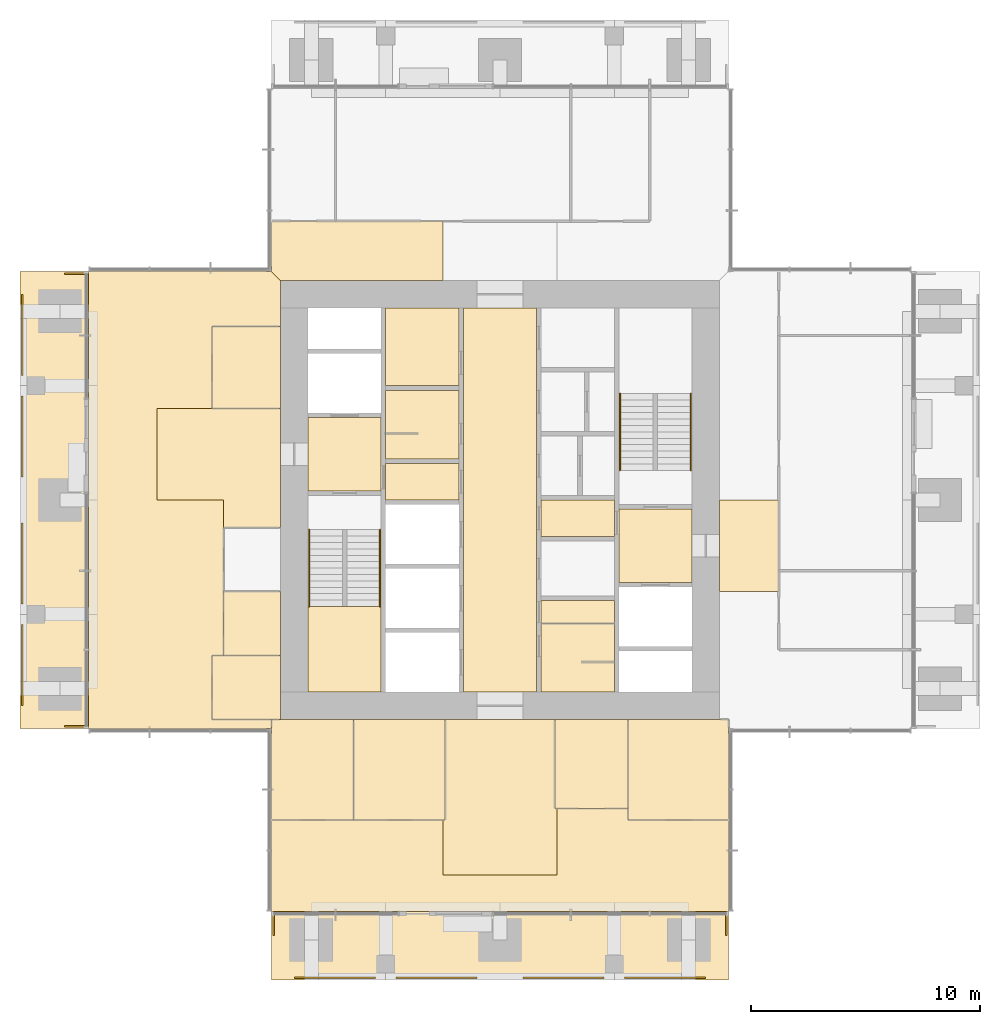
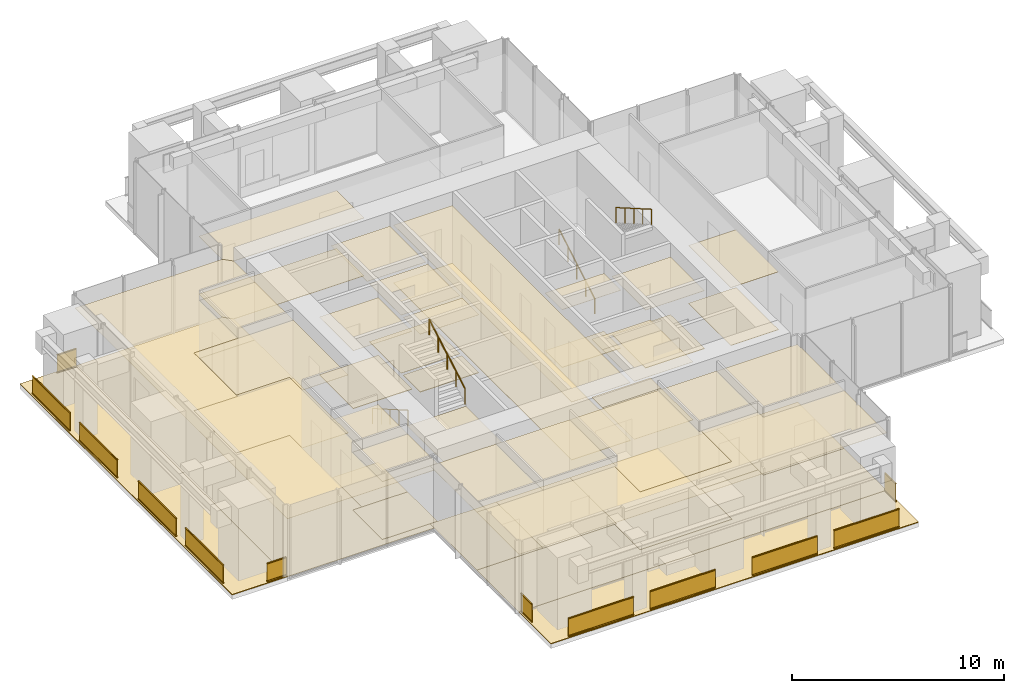
# One storey, part 10 of 12: 46 coverings, 16 railings.
"""IFC4 building model written with IfcOpenShell, lengths in metres."""

from ifc_helpers import new_model, si_unit, direction, frame, origin, origin_2d, place, context, subcontext, project, spatial, polyline, rectangle, circle, outline, extrude, material, layer, layer_set, type_object, element, save


model = new_model("IFC4")

# Units and contexts
model_context = context("Model", 3, precision=1e-05, world=origin(), true_north=direction((0.0, 1.0)))
body_context = subcontext(model_context, "Body", "Model", "MODEL_VIEW")
ifc_project = project(units=[si_unit("LENGTHUNIT", "METRE"), si_unit("AREAUNIT", "SQUARE_METRE"), si_unit("VOLUMEUNIT", "CUBIC_METRE"), si_unit("PLANEANGLEUNIT", "RADIAN"), si_unit("MASSUNIT", "GRAM", prefix="KILO")], contexts=[model_context])

# Site, building, storey
site_placement = place(None, origin())
site = spatial("IfcSite", under=ifc_project, at=site_placement, CompositionType="ELEMENT")
building_placement = place(site_placement, origin())
building = spatial("IfcBuilding", under=site, at=building_placement, Name="Svetlomir Tower", CompositionType="ELEMENT")
storey_placement = place(building_placement, frame((0.0, 0.0, 256.60009765625)))
storey = spatial("IfcBuildingStorey", under=building, at=storey_placement, Name="L61", CompositionType="ELEMENT", Elevation=256.60009765625)

# Railings
ifc_material_1 = material(Name="Bronze anodised aluminium and laminated glass", Category="aluminium")
railing_type_1 = type_object("IfcRailingType", Name="BALCONY GUARD GR1 1100", PredefinedType="GUARDRAIL", material=ifc_material_1)
for number, where, name in (
    (1, (12.0, 0.10009765625, 0.0), "Loggia guard S L61 bay 1"),
    (2, (16.449951171875, 0.10009765625, 0.0), "Loggia guard S L61 bay 2"),
    (3, (22.0, 0.10009765625, 0.0), "Loggia guard S L61 bay 3"),
    (4, (26.449951171875, 0.10009765625, 0.0), "Loggia guard S L61 bay 4"),
):
    element("IfcRailing", number, at=place(storey_placement, frame(where)), inside=storey, type_object=railing_type_1, Name=name, PredefinedType="GUARDRAIL", context=body_context, shape_type="SweptSolid", body=[
        extrude(rectangle(XDim=0.06005859375, YDim=0.10009765625, at=origin_2d()), frame((0.0, 0.0, 0.050048828125), z_axis=(1.0, 0.0, 0.0), x_axis=(0.0, 1.0, 0.0)), (0.0, 0.0, 1.0), 3.550048828125),
        extrude(rectangle(XDim=0.021484375, YDim=0.960205078125, at=origin_2d()), frame((0.0, 0.0, 0.580078125), z_axis=(1.0, 0.0, 0.0), x_axis=(0.0, 1.0, 0.0)), (0.0, 0.0, 1.0), 3.550048828125),
        extrude(rectangle(XDim=0.06005859375, YDim=0.0400390625, at=origin_2d()), frame((0.0, 0.0, 1.080078125), z_axis=(1.0, 0.0, 0.0), x_axis=(0.0, 1.0, 0.0)), (0.0, 0.0, 1.0), 3.550048828125),
    ])
for number, where, name in (
    (5, (11.10009765625, 1.949951171875, 0.0), "Loggia guard S L61 end 1"),
    (6, (30.89990234375, 1.949951171875, 0.0), "Loggia guard S L61 end 2"),
):
    element("IfcRailing", number, at=place(storey_placement, frame(where)), inside=storey, type_object=railing_type_1, Name=name, PredefinedType="GUARDRAIL", context=body_context, shape_type="SweptSolid", body=[
        extrude(rectangle(XDim=0.06005859375, YDim=0.10009765625, at=origin_2d()), frame((0.0, 0.0, 0.050048828125), z_axis=(0.0, 1.0, 0.0), x_axis=(-1.0, 0.0, 0.0)), (0.0, 0.0, 1.0), 1.050048828125),
        extrude(rectangle(XDim=0.021484375, YDim=0.960205078125, at=origin_2d()), frame((0.0, 0.0, 0.580078125), z_axis=(0.0, 1.0, 0.0), x_axis=(-1.0, 0.0, 0.0)), (0.0, 0.0, 1.0), 1.050048828125),
        extrude(rectangle(XDim=0.06005859375, YDim=0.0400390625, at=origin_2d()), frame((0.0, 0.0, 1.080078125), z_axis=(0.0, 1.0, 0.0), x_axis=(-1.0, 0.0, 0.0)), (0.0, 0.0, 1.0), 1.050048828125),
    ])
for number, where, name in (
    (7, (0.10009765625, 12.0, 0.0), "Loggia guard W L61 bay 1"),
    (8, (0.10009765625, 16.449951171875, 0.0), "Loggia guard W L61 bay 2"),
    (9, (0.10009765625, 22.0, 0.0), "Loggia guard W L61 bay 3"),
    (10, (0.10009765625, 26.449951171875, 0.0), "Loggia guard W L61 bay 4"),
):
    element("IfcRailing", number, at=place(storey_placement, frame(where)), inside=storey, type_object=railing_type_1, Name=name, PredefinedType="GUARDRAIL", context=body_context, shape_type="SweptSolid", body=[
        extrude(rectangle(XDim=0.06005859375, YDim=0.10009765625, at=origin_2d()), frame((0.0, 0.0, 0.050048828125), z_axis=(0.0, 1.0, 0.0), x_axis=(-1.0, 0.0, 0.0)), (0.0, 0.0, 1.0), 3.550048828125),
        extrude(rectangle(XDim=0.021484375, YDim=0.960205078125, at=origin_2d()), frame((0.0, 0.0, 0.580078125), z_axis=(0.0, 1.0, 0.0), x_axis=(-1.0, 0.0, 0.0)), (0.0, 0.0, 1.0), 3.550048828125),
        extrude(rectangle(XDim=0.06005859375, YDim=0.0400390625, at=origin_2d()), frame((0.0, 0.0, 1.080078125), z_axis=(0.0, 1.0, 0.0), x_axis=(-1.0, 0.0, 0.0)), (0.0, 0.0, 1.0), 3.550048828125),
    ])
for number, where, name in (
    (11, (1.949951171875, 11.10009765625, 0.0), "Loggia guard W L61 end 1"),
    (12, (1.949951171875, 30.89990234375, 0.0), "Loggia guard W L61 end 2"),
):
    element("IfcRailing", number, at=place(storey_placement, frame(where)), inside=storey, type_object=railing_type_1, Name=name, PredefinedType="GUARDRAIL", context=body_context, shape_type="SweptSolid", body=[
        extrude(rectangle(XDim=0.06005859375, YDim=0.10009765625, at=origin_2d()), frame((0.0, 0.0, 0.050048828125), z_axis=(1.0, 0.0, 0.0), x_axis=(0.0, 1.0, 0.0)), (0.0, 0.0, 1.0), 1.050048828125),
        extrude(rectangle(XDim=0.021484375, YDim=0.960205078125, at=origin_2d()), frame((0.0, 0.0, 0.580078125), z_axis=(1.0, 0.0, 0.0), x_axis=(0.0, 1.0, 0.0)), (0.0, 0.0, 1.0), 1.050048828125),
        extrude(rectangle(XDim=0.06005859375, YDim=0.0400390625, at=origin_2d()), frame((0.0, 0.0, 1.080078125), z_axis=(1.0, 0.0, 0.0), x_axis=(0.0, 1.0, 0.0)), (0.0, 0.0, 1.0), 1.050048828125),
    ])

# Coverings
ifc_material_2 = material(Name="Granite paving slabs on pedestals", Category="masonry")
ifc_layer_1 = layer(ifc_material_2, 0.0400390625)
ifc_layer_set_1 = layer_set([ifc_layer_1], Name="Granite paving slabs on pedestals")
covering_type_1 = type_object("IfcCoveringType", Name="BALCONY PAVING 40", PredefinedType="USERDEFINED", material=ifc_layer_set_1)
covering_1_placement = place(storey_placement, origin())
element("IfcCovering", 13, at=covering_1_placement, inside=storey, type_object=covering_type_1, Name="Loggia paving S L61", ObjectType="BALCONY PAVING", PredefinedType="USERDEFINED", context=body_context, shape_type="SweptSolid", body=[
    extrude(outline(polyline([(11.0, 0.0), (31.0, 0.0), (31.0, 3.0), (11.0, 3.0), (11.0, 0.0)])), origin(), (0.0, 0.0, 1.0), 0.039794921875),
])
covering_2_placement = place(storey_placement, origin())
element("IfcCovering", 14, at=covering_2_placement, inside=storey, type_object=covering_type_1, Name="Loggia paving W L61", ObjectType="BALCONY PAVING", PredefinedType="USERDEFINED", context=body_context, shape_type="SweptSolid", body=[
    extrude(outline(polyline([(0.0, 11.0), (3.0, 11.0), (3.0, 31.0), (0.0, 31.0), (0.0, 11.0)])), origin(), (0.0, 0.0, 1.0), 0.039794921875),
])
ifc_material_3 = material(Name="Ceramic floor tile", Category="ceramic")
ifc_layer_2 = layer(ifc_material_3, 0.014892578125)
ifc_layer_set_2 = layer_set([ifc_layer_2], Name="Ceramic floor tile")
covering_type_2 = type_object("IfcCoveringType", Name="CERAMIC TILE FLOOR 15", PredefinedType="FLOORING", material=ifc_layer_set_2)
covering_3_placement = place(storey_placement, origin())
element("IfcCovering", 15, at=covering_3_placement, inside=storey, type_object=covering_type_2, Name="Floor finish L61-04", PredefinedType="FLOORING", context=body_context, shape_type="SweptSolid", body=[
    extrude(outline(polyline([(16.0, 22.800048828125), (19.199951171875, 22.800048828125), (19.199951171875, 25.800048828125), (16.0, 25.800048828125), (16.0, 22.800048828125)])), origin(), (0.0, 0.0, 1.0), 0.014892578125),
])
covering_4_placement = place(storey_placement, origin())
element("IfcCovering", 16, at=covering_4_placement, inside=storey, type_object=covering_type_2, Name="Floor finish L61-07", PredefinedType="FLOORING", context=body_context, shape_type="SweptSolid", body=[
    extrude(outline(polyline([(22.800048828125, 15.60009765625), (26.0, 15.60009765625), (26.0, 16.60009765625), (22.800048828125, 16.60009765625), (22.800048828125, 15.60009765625)])), origin(), (0.0, 0.0, 1.0), 0.014892578125),
])
covering_5_placement = place(storey_placement, origin())
element("IfcCovering", 17, at=covering_5_placement, inside=storey, type_object=covering_type_2, Name="Floor finish L61-08", PredefinedType="FLOORING", context=body_context, shape_type="SweptSolid", body=[
    extrude(outline(polyline([(22.800048828125, 12.60009765625), (26.0, 12.60009765625), (26.0, 15.60009765625), (22.800048828125, 15.60009765625), (22.800048828125, 12.60009765625)])), origin(), (0.0, 0.0, 1.0), 0.014892578125),
])

# Railings
ifc_material_4 = material(Name="Stainless steel", Category="steel")
railing_type_2 = type_object("IfcRailingType", Name="HANDRAIL HR1 900", PredefinedType="HANDRAIL", material=ifc_material_4)
railing_1_placement = place(storey_placement, frame((12.64990234375, 19.699951171875, 0.161376953125)))
element("IfcRailing", 18, at=railing_1_placement, inside=storey, type_object=railing_type_2, Name="Handrail S1 flight 1 L61", PredefinedType="HANDRAIL", context=body_context, shape_type="SweptSolid", body=[
    extrude(circle(Radius=0.02392578125, at=origin_2d()), frame((0.0, 0.0, 0.8759765625), z_axis=(0.0, -0.866175107563, 0.499740615757), x_axis=(1.0, 0.0, 0.0)), (0.0, 0.0, 1.0), 3.87890625),
    extrude(circle(Radius=0.02099609375, at=origin_2d()), origin(), (0.0, 0.0, 1.0), 0.851806640625),
    extrude(circle(Radius=0.02099609375, at=origin_2d()), frame((0.0, -0.83984375, 0.484619140625)), (0.0, 0.0, 1.0), 0.851806640625),
    extrude(circle(Radius=0.02099609375, at=origin_2d()), frame((0.0, -1.679931640625, 0.96923828125)), (0.0, 0.0, 1.0), 0.851806640625),
    extrude(circle(Radius=0.02099609375, at=origin_2d()), frame((0.0, -2.52001953125, 1.453857421875)), (0.0, 0.0, 1.0), 0.851806640625),
    extrude(circle(Radius=0.02099609375, at=origin_2d()), frame((0.0, -3.35986328125, 1.9384765625)), (0.0, 0.0, 1.0), 0.851806640625),
])
for number, where, name in (
    (19, (15.75, 16.340087890625, 2.261474609375), "Handrail S1 flight 2 L61"),
    (20, (26.25, 22.300048828125, 0.161376953125), "Handrail S2 flight 1 L61"),
):
    element("IfcRailing", number, at=place(storey_placement, frame(where)), inside=storey, type_object=railing_type_2, Name=name, PredefinedType="HANDRAIL", context=body_context, shape_type="SweptSolid", body=[
        extrude(circle(Radius=0.02392578125, at=origin_2d()), frame((0.0, 0.0, 0.8759765625), z_axis=(0.0, 0.866175107563, 0.499740615757), x_axis=(-1.0, 0.0, 0.0)), (0.0, 0.0, 1.0), 3.87890625),
        extrude(circle(Radius=0.02099609375, at=origin_2d()), origin(), (0.0, 0.0, 1.0), 0.851806640625),
        extrude(circle(Radius=0.02099609375, at=origin_2d()), frame((0.0, 0.83984375, 0.484619140625)), (0.0, 0.0, 1.0), 0.851806640625),
        extrude(circle(Radius=0.02099609375, at=origin_2d()), frame((0.0, 1.679931640625, 0.96923828125)), (0.0, 0.0, 1.0), 0.851806640625),
        extrude(circle(Radius=0.02099609375, at=origin_2d()), frame((0.0, 2.52001953125, 1.453857421875)), (0.0, 0.0, 1.0), 0.851806640625),
        extrude(circle(Radius=0.02099609375, at=origin_2d()), frame((0.0, 3.35986328125, 1.9384765625)), (0.0, 0.0, 1.0), 0.851806640625),
    ])
railing_2_placement = place(storey_placement, frame((29.35009765625, 25.659912109375, 2.261474609375)))
element("IfcRailing", 21, at=railing_2_placement, inside=storey, type_object=railing_type_2, Name="Handrail S2 flight 2 L61", PredefinedType="HANDRAIL", context=body_context, shape_type="SweptSolid", body=[
    extrude(circle(Radius=0.02392578125, at=origin_2d()), frame((0.0, 0.0, 0.8759765625), z_axis=(0.0, -0.866175107563, 0.499740615757), x_axis=(1.0, 0.0, 0.0)), (0.0, 0.0, 1.0), 3.87890625),
    extrude(circle(Radius=0.02099609375, at=origin_2d()), origin(), (0.0, 0.0, 1.0), 0.851806640625),
    extrude(circle(Radius=0.02099609375, at=origin_2d()), frame((0.0, -0.83984375, 0.484619140625)), (0.0, 0.0, 1.0), 0.851806640625),
    extrude(circle(Radius=0.02099609375, at=origin_2d()), frame((0.0, -1.679931640625, 0.96923828125)), (0.0, 0.0, 1.0), 0.851806640625),
    extrude(circle(Radius=0.02099609375, at=origin_2d()), frame((0.0, -2.52001953125, 1.453857421875)), (0.0, 0.0, 1.0), 0.851806640625),
    extrude(circle(Radius=0.02099609375, at=origin_2d()), frame((0.0, -3.35986328125, 1.9384765625)), (0.0, 0.0, 1.0), 0.851806640625),
])

# Coverings
ifc_material_5 = material(Name="Moisture resistant plasterboard ceiling", Category="gypsum")
ifc_layer_3 = layer(ifc_material_5, 0.012451171875)
ifc_layer_set_3 = layer_set([ifc_layer_3], Name="Moisture resistant plasterboard ceiling")
covering_type_3 = type_object("IfcCoveringType", Name="MOISTURE RESISTANT CEILING 12.5", PredefinedType="CEILING", material=ifc_layer_set_3)
covering_6_placement = place(storey_placement, frame((0.0, 0.0, 3.33740234375)))
element("IfcCovering", 22, at=covering_6_placement, inside=storey, type_object=covering_type_3, Name="Ceiling L61-04", PredefinedType="CEILING", context=body_context, shape_type="SweptSolid", body=[
    extrude(outline(polyline([(16.0, 22.800048828125), (19.199951171875, 22.800048828125), (19.199951171875, 25.800048828125), (16.0, 25.800048828125), (16.0, 22.800048828125)])), origin(), (0.0, 0.0, 1.0), 0.012451171875),
])
covering_7_placement = place(storey_placement, frame((0.0, 0.0, 3.33740234375)))
element("IfcCovering", 23, at=covering_7_placement, inside=storey, type_object=covering_type_3, Name="Ceiling L61-05", PredefinedType="CEILING", context=body_context, shape_type="SweptSolid", body=[
    extrude(outline(polyline([(16.0, 26.0), (19.199951171875, 26.0), (19.199951171875, 29.39990234375), (16.0, 29.39990234375), (16.0, 26.0)])), origin(), (0.0, 0.0, 1.0), 0.012451171875),
])
covering_8_placement = place(storey_placement, frame((0.0, 0.0, 3.33740234375)))
element("IfcCovering", 24, at=covering_8_placement, inside=storey, type_object=covering_type_3, Name="Ceiling L61-07", PredefinedType="CEILING", context=body_context, shape_type="SweptSolid", body=[
    extrude(outline(polyline([(22.800048828125, 15.60009765625), (26.0, 15.60009765625), (26.0, 16.60009765625), (22.800048828125, 16.60009765625), (22.800048828125, 15.60009765625)])), origin(), (0.0, 0.0, 1.0), 0.012451171875),
])
covering_9_placement = place(storey_placement, frame((0.0, 0.0, 3.33740234375)))
element("IfcCovering", 25, at=covering_9_placement, inside=storey, type_object=covering_type_3, Name="Ceiling L61-08", PredefinedType="CEILING", context=body_context, shape_type="SweptSolid", body=[
    extrude(outline(polyline([(22.800048828125, 12.60009765625), (26.0, 12.60009765625), (26.0, 15.60009765625), (22.800048828125, 15.60009765625), (22.800048828125, 12.60009765625)])), origin(), (0.0, 0.0, 1.0), 0.012451171875),
])
ifc_material_6 = material(Name="Engineered oak floor", Category="wood")
ifc_layer_4 = layer(ifc_material_6, 0.02001953125)
ifc_layer_set_4 = layer_set([ifc_layer_4], Name="Engineered oak floor")
covering_type_4 = type_object("IfcCoveringType", Name="OAK FLOOR 20", PredefinedType="FLOORING", material=ifc_layer_set_4)
covering_10_placement = place(storey_placement, origin())
element("IfcCovering", 26, at=covering_10_placement, inside=storey, type_object=covering_type_4, Name="Floor finish L61-18", PredefinedType="FLOORING", context=body_context, shape_type="SweptSolid", body=[
    extrude(outline(polyline([(11.0, 7.0), (14.60009765625, 7.0), (14.60009765625, 11.39990234375), (11.0, 11.39990234375), (11.0, 7.0)])), origin(), (0.0, 0.0, 1.0), 0.02001953125),
])
covering_11_placement = place(storey_placement, origin())
element("IfcCovering", 27, at=covering_11_placement, inside=storey, type_object=covering_type_4, Name="Floor finish L61-19", PredefinedType="FLOORING", context=body_context, shape_type="SweptSolid", body=[
    extrude(outline(polyline([(14.60009765625, 7.0), (18.60009765625, 7.0), (18.60009765625, 11.39990234375), (14.60009765625, 11.39990234375), (14.60009765625, 7.0)])), origin(), (0.0, 0.0, 1.0), 0.02001953125),
])
covering_12_placement = place(storey_placement, origin())
element("IfcCovering", 28, at=covering_12_placement, inside=storey, type_object=covering_type_4, Name="Floor finish L61-20", PredefinedType="FLOORING", context=body_context, shape_type="SweptSolid", body=[
    extrude(outline(polyline([(23.39990234375, 7.5), (26.60009765625, 7.5), (26.60009765625, 11.39990234375), (23.39990234375, 11.39990234375), (23.39990234375, 7.5)])), origin(), (0.0, 0.0, 1.0), 0.02001953125),
])
covering_13_placement = place(storey_placement, origin())
element("IfcCovering", 29, at=covering_13_placement, inside=storey, type_object=covering_type_4, Name="Floor finish L61-21", PredefinedType="FLOORING", context=body_context, shape_type="SweptSolid", body=[
    extrude(outline(polyline([(26.60009765625, 7.0), (31.0, 7.0), (31.0, 11.39990234375), (26.60009765625, 11.39990234375), (26.60009765625, 7.0)])), origin(), (0.0, 0.0, 1.0), 0.02001953125),
])
covering_14_placement = place(storey_placement, origin())
element("IfcCovering", 30, at=covering_14_placement, inside=storey, type_object=covering_type_4, Name="Floor finish L61-28", PredefinedType="FLOORING", context=body_context, shape_type="SweptSolid", body=[
    extrude(outline(polyline([(8.39990234375, 11.39990234375), (11.39990234375, 11.39990234375), (11.39990234375, 14.199951171875), (8.39990234375, 14.199951171875), (8.39990234375, 11.39990234375)])), origin(), (0.0, 0.0, 1.0), 0.02001953125),
])
covering_15_placement = place(storey_placement, origin())
element("IfcCovering", 31, at=covering_15_placement, inside=storey, type_object=covering_type_4, Name="Floor finish L61-29", PredefinedType="FLOORING", context=body_context, shape_type="SweptSolid", body=[
    extrude(outline(polyline([(8.89990234375, 14.199951171875), (11.39990234375, 14.199951171875), (11.39990234375, 17.0), (8.89990234375, 17.0), (8.89990234375, 14.199951171875)])), origin(), (0.0, 0.0, 1.0), 0.02001953125),
])
covering_16_placement = place(storey_placement, origin())
element("IfcCovering", 32, at=covering_16_placement, inside=storey, type_object=covering_type_4, Name="Floor finish L61-31", PredefinedType="FLOORING", context=body_context, shape_type="SweptSolid", body=[
    extrude(outline(polyline([(8.39990234375, 25.0), (11.39990234375, 25.0), (11.39990234375, 28.60009765625), (8.39990234375, 28.60009765625), (8.39990234375, 25.0)])), origin(), (0.0, 0.0, 1.0), 0.02001953125),
])
covering_17_placement = place(storey_placement, origin())
element("IfcCovering", 33, at=covering_17_placement, inside=storey, type_object=covering_type_4, Name="Floor finish L61-32", PredefinedType="FLOORING", context=body_context, shape_type="SweptSolid", body=[
    extrude(outline(polyline([(23.39990234375, 7.5), (23.5, 7.5), (23.5, 4.60009765625), (18.5, 4.60009765625), (18.5, 7.0), (18.60009765625, 7.0), (18.60009765625, 11.39990234375), (23.39990234375, 11.39990234375), (23.39990234375, 7.5)])), origin(), (0.0, 0.0, 1.0), 0.02001953125),
])
covering_18_placement = place(storey_placement, origin())
element("IfcCovering", 34, at=covering_18_placement, inside=storey, type_object=covering_type_4, Name="Floor finish L61-33", PredefinedType="FLOORING", context=body_context, shape_type="SweptSolid", body=[
    extrude(outline(polyline([(30.60009765625, 17.0), (30.60009765625, 21.0), (33.199951171875, 21.0), (33.199951171875, 17.0), (30.60009765625, 17.0)])), origin(), (0.0, 0.0, 1.0), 0.02001953125),
])
covering_19_placement = place(storey_placement, origin())
element("IfcCovering", 35, at=covering_19_placement, inside=storey, type_object=covering_type_4, Name="Floor finish L61-34", PredefinedType="FLOORING", context=body_context, shape_type="SweptSolid", body=[
    extrude(outline(polyline([(6.0, 21.0), (6.0, 25.0), (11.39990234375, 25.0), (11.39990234375, 19.800048828125), (8.89990234375, 19.800048828125), (8.89990234375, 21.0), (6.0, 21.0)])), origin(), (0.0, 0.0, 1.0), 0.02001953125),
])
covering_20_placement = place(storey_placement, origin())
element("IfcCovering", 36, at=covering_20_placement, inside=storey, type_object=covering_type_4, Name="Floor finish L61-36", PredefinedType="FLOORING", context=body_context, shape_type="SweptSolid", body=[
    extrude(outline(polyline([(11.0, 7.0), (18.5, 7.0), (18.5, 4.60009765625), (23.5, 4.60009765625), (23.5, 7.5), (26.60009765625, 7.5), (26.60009765625, 7.0), (31.0, 7.0), (31.0, 3.0), (11.0, 3.0), (11.0, 7.0)])), origin(), (0.0, 0.0, 1.0), 0.02001953125),
])
covering_21_placement = place(storey_placement, origin())
element("IfcCovering", 37, at=covering_21_placement, inside=storey, type_object=covering_type_4, Name="Floor finish L61-40", PredefinedType="FLOORING", context=body_context, shape_type="SweptSolid", body=[
    extrude(outline(polyline([(11.0, 33.199951171875), (18.5, 33.199951171875), (18.5, 30.60009765625), (11.39990234375, 30.60009765625), (11.0, 31.0), (11.0, 33.199951171875)])), origin(), (0.0, 0.0, 1.0), 0.02001953125),
])
covering_22_placement = place(storey_placement, origin())
element("IfcCovering", 38, at=covering_22_placement, inside=storey, type_object=covering_type_4, Name="Floor finish L61-41", PredefinedType="FLOORING", context=body_context, shape_type="SweptSolid", body=[
    extrude(outline(polyline([(11.39990234375, 28.60009765625), (8.39990234375, 28.60009765625), (8.39990234375, 25.0), (6.0, 25.0), (6.0, 21.0), (8.89990234375, 21.0), (8.89990234375, 14.199951171875), (8.39990234375, 14.199951171875), (8.39990234375, 11.39990234375), (11.0, 11.39990234375), (11.0, 11.0), (3.0, 11.0), (3.0, 31.0), (11.0, 31.0), (11.39990234375, 30.60009765625), (11.39990234375, 28.60009765625)])), origin(), (0.0, 0.0, 1.0), 0.02001953125),
])
ifc_material_7 = material(Name="Gypsum plasterboard ceiling", Category="gypsum")
ifc_layer_5 = layer(ifc_material_7, 0.014892578125)
ifc_layer_set_5 = layer_set([ifc_layer_5], Name="Gypsum plasterboard ceiling")
covering_type_5 = type_object("IfcCoveringType", Name="PLASTERBOARD CEILING 15", PredefinedType="CEILING", material=ifc_layer_set_5)
covering_23_placement = place(storey_placement, frame((0.0, 0.0, 3.3349609375)))
element("IfcCovering", 39, at=covering_23_placement, inside=storey, type_object=covering_type_5, Name="Ceiling L61-02", PredefinedType="CEILING", context=body_context, shape_type="SweptSolid", body=[
    extrude(outline(polyline([(12.60009765625, 21.39990234375), (15.800048828125, 21.39990234375), (15.800048828125, 24.60009765625), (12.60009765625, 24.60009765625), (12.60009765625, 21.39990234375)])), origin(), (0.0, 0.0, 1.0), 0.014892578125),
])
covering_24_placement = place(storey_placement, frame((0.0, 0.0, 3.3349609375)))
element("IfcCovering", 40, at=covering_24_placement, inside=storey, type_object=covering_type_5, Name="Ceiling L61-03", PredefinedType="CEILING", context=body_context, shape_type="SweptSolid", body=[
    extrude(outline(polyline([(16.0, 21.0), (19.199951171875, 21.0), (19.199951171875, 22.60009765625), (16.0, 22.60009765625), (16.0, 21.0)])), origin(), (0.0, 0.0, 1.0), 0.014892578125),
])
covering_25_placement = place(storey_placement, frame((0.0, 0.0, 3.3349609375)))
element("IfcCovering", 41, at=covering_25_placement, inside=storey, type_object=covering_type_5, Name="Ceiling L61-06", PredefinedType="CEILING", context=body_context, shape_type="SweptSolid", body=[
    extrude(outline(polyline([(19.39990234375, 12.60009765625), (22.60009765625, 12.60009765625), (22.60009765625, 29.39990234375), (19.39990234375, 29.39990234375), (19.39990234375, 12.60009765625)])), origin(), (0.0, 0.0, 1.0), 0.014892578125),
])
covering_26_placement = place(storey_placement, frame((0.0, 0.0, 3.3349609375)))
element("IfcCovering", 42, at=covering_26_placement, inside=storey, type_object=covering_type_5, Name="Ceiling L61-10", PredefinedType="CEILING", context=body_context, shape_type="SweptSolid", body=[
    extrude(outline(polyline([(22.800048828125, 19.39990234375), (26.0, 19.39990234375), (26.0, 21.0), (22.800048828125, 21.0), (22.800048828125, 19.39990234375)])), origin(), (0.0, 0.0, 1.0), 0.014892578125),
])
covering_27_placement = place(storey_placement, frame((0.0, 0.0, 3.3349609375)))
element("IfcCovering", 43, at=covering_27_placement, inside=storey, type_object=covering_type_5, Name="Ceiling L61-11", PredefinedType="CEILING", context=body_context, shape_type="SweptSolid", body=[
    extrude(outline(polyline([(26.199951171875, 17.39990234375), (29.39990234375, 17.39990234375), (29.39990234375, 20.60009765625), (26.199951171875, 20.60009765625), (26.199951171875, 17.39990234375)])), origin(), (0.0, 0.0, 1.0), 0.014892578125),
])
ifc_material_8 = material(Name="Studded rubber floor finish", Category="rubber")
ifc_layer_6 = layer(ifc_material_8, 0.006103515625)
ifc_layer_set_6 = layer_set([ifc_layer_6], Name="Studded rubber floor finish")
covering_type_6 = type_object("IfcCoveringType", Name="RUBBER LANDING FINISH 6", PredefinedType="FLOORING", material=ifc_layer_set_6)
covering_28_placement = place(storey_placement, frame((0.0, 0.0, 2.099853515625)))
element("IfcCovering", 44, at=covering_28_placement, inside=storey, type_object=covering_type_6, Name="Stair S1 landing finish L61", PredefinedType="FLOORING", context=body_context, shape_type="SweptSolid", body=[
    extrude(outline(polyline([(12.60009765625, 12.60009765625), (15.800048828125, 12.60009765625), (15.800048828125, 16.340087890625), (12.60009765625, 16.340087890625), (12.60009765625, 12.60009765625)])), origin(), (0.0, 0.0, 1.0), 0.006103515625),
])
ifc_material_9 = material(Name="Mineral fibre ceiling tile", Category="mineral")
ifc_layer_7 = layer(ifc_material_9, 0.02001953125)
ifc_layer_set_7 = layer_set([ifc_layer_7], Name="Mineral fibre ceiling tile")
covering_type_7 = type_object("IfcCoveringType", Name="SUSPENDED CEILING 20", PredefinedType="CEILING", material=ifc_layer_set_7)
covering_29_placement = place(storey_placement, frame((0.0, 0.0, 3.329833984375)))
element("IfcCovering", 45, at=covering_29_placement, inside=storey, type_object=covering_type_7, Name="Ceiling L61-18", PredefinedType="CEILING", context=body_context, shape_type="SweptSolid", body=[
    extrude(outline(polyline([(11.0, 7.0), (14.60009765625, 7.0), (14.60009765625, 11.39990234375), (11.0, 11.39990234375), (11.0, 7.0)])), origin(), (0.0, 0.0, 1.0), 0.02001953125),
])
covering_30_placement = place(storey_placement, frame((0.0, 0.0, 3.329833984375)))
element("IfcCovering", 46, at=covering_30_placement, inside=storey, type_object=covering_type_7, Name="Ceiling L61-19", PredefinedType="CEILING", context=body_context, shape_type="SweptSolid", body=[
    extrude(outline(polyline([(14.60009765625, 7.0), (18.60009765625, 7.0), (18.60009765625, 11.39990234375), (14.60009765625, 11.39990234375), (14.60009765625, 7.0)])), origin(), (0.0, 0.0, 1.0), 0.02001953125),
])
covering_31_placement = place(storey_placement, frame((0.0, 0.0, 3.329833984375)))
element("IfcCovering", 47, at=covering_31_placement, inside=storey, type_object=covering_type_7, Name="Ceiling L61-20", PredefinedType="CEILING", context=body_context, shape_type="SweptSolid", body=[
    extrude(outline(polyline([(23.39990234375, 7.5), (26.60009765625, 7.5), (26.60009765625, 11.39990234375), (23.39990234375, 11.39990234375), (23.39990234375, 7.5)])), origin(), (0.0, 0.0, 1.0), 0.02001953125),
])
covering_32_placement = place(storey_placement, frame((0.0, 0.0, 3.329833984375)))
element("IfcCovering", 48, at=covering_32_placement, inside=storey, type_object=covering_type_7, Name="Ceiling L61-21", PredefinedType="CEILING", context=body_context, shape_type="SweptSolid", body=[
    extrude(outline(polyline([(26.60009765625, 7.0), (31.0, 7.0), (31.0, 11.39990234375), (26.60009765625, 11.39990234375), (26.60009765625, 7.0)])), origin(), (0.0, 0.0, 1.0), 0.02001953125),
])
covering_33_placement = place(storey_placement, frame((0.0, 0.0, 3.329833984375)))
element("IfcCovering", 49, at=covering_33_placement, inside=storey, type_object=covering_type_7, Name="Ceiling L61-28", PredefinedType="CEILING", context=body_context, shape_type="SweptSolid", body=[
    extrude(outline(polyline([(8.39990234375, 11.39990234375), (11.39990234375, 11.39990234375), (11.39990234375, 14.199951171875), (8.39990234375, 14.199951171875), (8.39990234375, 11.39990234375)])), origin(), (0.0, 0.0, 1.0), 0.02001953125),
])
covering_34_placement = place(storey_placement, frame((0.0, 0.0, 3.329833984375)))
element("IfcCovering", 50, at=covering_34_placement, inside=storey, type_object=covering_type_7, Name="Ceiling L61-29", PredefinedType="CEILING", context=body_context, shape_type="SweptSolid", body=[
    extrude(outline(polyline([(8.89990234375, 14.199951171875), (11.39990234375, 14.199951171875), (11.39990234375, 17.0), (8.89990234375, 17.0), (8.89990234375, 14.199951171875)])), origin(), (0.0, 0.0, 1.0), 0.02001953125),
])
covering_35_placement = place(storey_placement, frame((0.0, 0.0, 3.329833984375)))
element("IfcCovering", 51, at=covering_35_placement, inside=storey, type_object=covering_type_7, Name="Ceiling L61-31", PredefinedType="CEILING", context=body_context, shape_type="SweptSolid", body=[
    extrude(outline(polyline([(8.39990234375, 25.0), (11.39990234375, 25.0), (11.39990234375, 28.60009765625), (8.39990234375, 28.60009765625), (8.39990234375, 25.0)])), origin(), (0.0, 0.0, 1.0), 0.02001953125),
])
covering_36_placement = place(storey_placement, frame((0.0, 0.0, 3.329833984375)))
element("IfcCovering", 52, at=covering_36_placement, inside=storey, type_object=covering_type_7, Name="Ceiling L61-32", PredefinedType="CEILING", context=body_context, shape_type="SweptSolid", body=[
    extrude(outline(polyline([(23.39990234375, 7.5), (23.5, 7.5), (23.5, 4.60009765625), (18.5, 4.60009765625), (18.5, 7.0), (18.60009765625, 7.0), (18.60009765625, 11.39990234375), (23.39990234375, 11.39990234375), (23.39990234375, 7.5)])), origin(), (0.0, 0.0, 1.0), 0.02001953125),
])
covering_37_placement = place(storey_placement, frame((0.0, 0.0, 3.329833984375)))
element("IfcCovering", 53, at=covering_37_placement, inside=storey, type_object=covering_type_7, Name="Ceiling L61-33", PredefinedType="CEILING", context=body_context, shape_type="SweptSolid", body=[
    extrude(outline(polyline([(30.60009765625, 17.0), (30.60009765625, 21.0), (33.199951171875, 21.0), (33.199951171875, 17.0), (30.60009765625, 17.0)])), origin(), (0.0, 0.0, 1.0), 0.02001953125),
])
covering_38_placement = place(storey_placement, frame((0.0, 0.0, 3.329833984375)))
element("IfcCovering", 54, at=covering_38_placement, inside=storey, type_object=covering_type_7, Name="Ceiling L61-34", PredefinedType="CEILING", context=body_context, shape_type="SweptSolid", body=[
    extrude(outline(polyline([(6.0, 21.0), (6.0, 25.0), (11.39990234375, 25.0), (11.39990234375, 19.800048828125), (8.89990234375, 19.800048828125), (8.89990234375, 21.0), (6.0, 21.0)])), origin(), (0.0, 0.0, 1.0), 0.02001953125),
])
covering_39_placement = place(storey_placement, frame((0.0, 0.0, 3.329833984375)))
element("IfcCovering", 55, at=covering_39_placement, inside=storey, type_object=covering_type_7, Name="Ceiling L61-36", PredefinedType="CEILING", context=body_context, shape_type="SweptSolid", body=[
    extrude(outline(polyline([(11.0, 7.0), (18.5, 7.0), (18.5, 4.60009765625), (23.5, 4.60009765625), (23.5, 7.5), (26.60009765625, 7.5), (26.60009765625, 7.0), (31.0, 7.0), (31.0, 3.0), (11.0, 3.0), (11.0, 7.0)])), origin(), (0.0, 0.0, 1.0), 0.02001953125),
])
covering_40_placement = place(storey_placement, frame((0.0, 0.0, 3.329833984375)))
element("IfcCovering", 56, at=covering_40_placement, inside=storey, type_object=covering_type_7, Name="Ceiling L61-40", PredefinedType="CEILING", context=body_context, shape_type="SweptSolid", body=[
    extrude(outline(polyline([(11.0, 33.199951171875), (18.5, 33.199951171875), (18.5, 30.60009765625), (11.39990234375, 30.60009765625), (11.0, 31.0), (11.0, 33.199951171875)])), origin(), (0.0, 0.0, 1.0), 0.02001953125),
])
covering_41_placement = place(storey_placement, frame((0.0, 0.0, 3.329833984375)))
element("IfcCovering", 57, at=covering_41_placement, inside=storey, type_object=covering_type_7, Name="Ceiling L61-41", PredefinedType="CEILING", context=body_context, shape_type="SweptSolid", body=[
    extrude(outline(polyline([(11.39990234375, 28.60009765625), (8.39990234375, 28.60009765625), (8.39990234375, 25.0), (6.0, 25.0), (6.0, 21.0), (8.89990234375, 21.0), (8.89990234375, 14.199951171875), (8.39990234375, 14.199951171875), (8.39990234375, 11.39990234375), (11.0, 11.39990234375), (11.0, 11.0), (3.0, 11.0), (3.0, 31.0), (11.0, 31.0), (11.39990234375, 30.60009765625), (11.39990234375, 28.60009765625)])), origin(), (0.0, 0.0, 1.0), 0.02001953125),
])
ifc_material_10 = material(Name="Bronze-aggregate terrazzo", Category="stone")
ifc_layer_8 = layer(ifc_material_10, 0.030029296875)
ifc_layer_set_8 = layer_set([ifc_layer_8], Name="Bronze-aggregate terrazzo")
covering_type_8 = type_object("IfcCoveringType", Name="TERRAZZO FLOOR 30", PredefinedType="FLOORING", material=ifc_layer_set_8)
covering_42_placement = place(storey_placement, origin())
element("IfcCovering", 58, at=covering_42_placement, inside=storey, type_object=covering_type_8, Name="Floor finish L61-02", PredefinedType="FLOORING", context=body_context, shape_type="SweptSolid", body=[
    extrude(outline(polyline([(12.60009765625, 21.39990234375), (15.800048828125, 21.39990234375), (15.800048828125, 24.60009765625), (12.60009765625, 24.60009765625), (12.60009765625, 21.39990234375)])), origin(), (0.0, 0.0, 1.0), 0.02978515625),
])
covering_43_placement = place(storey_placement, origin())
element("IfcCovering", 59, at=covering_43_placement, inside=storey, type_object=covering_type_8, Name="Floor finish L61-03", PredefinedType="FLOORING", context=body_context, shape_type="SweptSolid", body=[
    extrude(outline(polyline([(16.0, 21.0), (19.199951171875, 21.0), (19.199951171875, 22.60009765625), (16.0, 22.60009765625), (16.0, 21.0)])), origin(), (0.0, 0.0, 1.0), 0.02978515625),
])
covering_44_placement = place(storey_placement, origin())
element("IfcCovering", 60, at=covering_44_placement, inside=storey, type_object=covering_type_8, Name="Floor finish L61-06", PredefinedType="FLOORING", context=body_context, shape_type="SweptSolid", body=[
    extrude(outline(polyline([(19.39990234375, 12.60009765625), (22.60009765625, 12.60009765625), (22.60009765625, 29.39990234375), (19.39990234375, 29.39990234375), (19.39990234375, 12.60009765625)])), origin(), (0.0, 0.0, 1.0), 0.02978515625),
])
covering_45_placement = place(storey_placement, origin())
element("IfcCovering", 61, at=covering_45_placement, inside=storey, type_object=covering_type_8, Name="Floor finish L61-10", PredefinedType="FLOORING", context=body_context, shape_type="SweptSolid", body=[
    extrude(outline(polyline([(22.800048828125, 19.39990234375), (26.0, 19.39990234375), (26.0, 21.0), (22.800048828125, 21.0), (22.800048828125, 19.39990234375)])), origin(), (0.0, 0.0, 1.0), 0.02978515625),
])
covering_46_placement = place(storey_placement, origin())
element("IfcCovering", 62, at=covering_46_placement, inside=storey, type_object=covering_type_8, Name="Floor finish L61-11", PredefinedType="FLOORING", context=body_context, shape_type="SweptSolid", body=[
    extrude(outline(polyline([(26.199951171875, 17.39990234375), (29.39990234375, 17.39990234375), (29.39990234375, 20.60009765625), (26.199951171875, 20.60009765625), (26.199951171875, 17.39990234375)])), origin(), (0.0, 0.0, 1.0), 0.02978515625),
])

save(model, "model.ifc")
